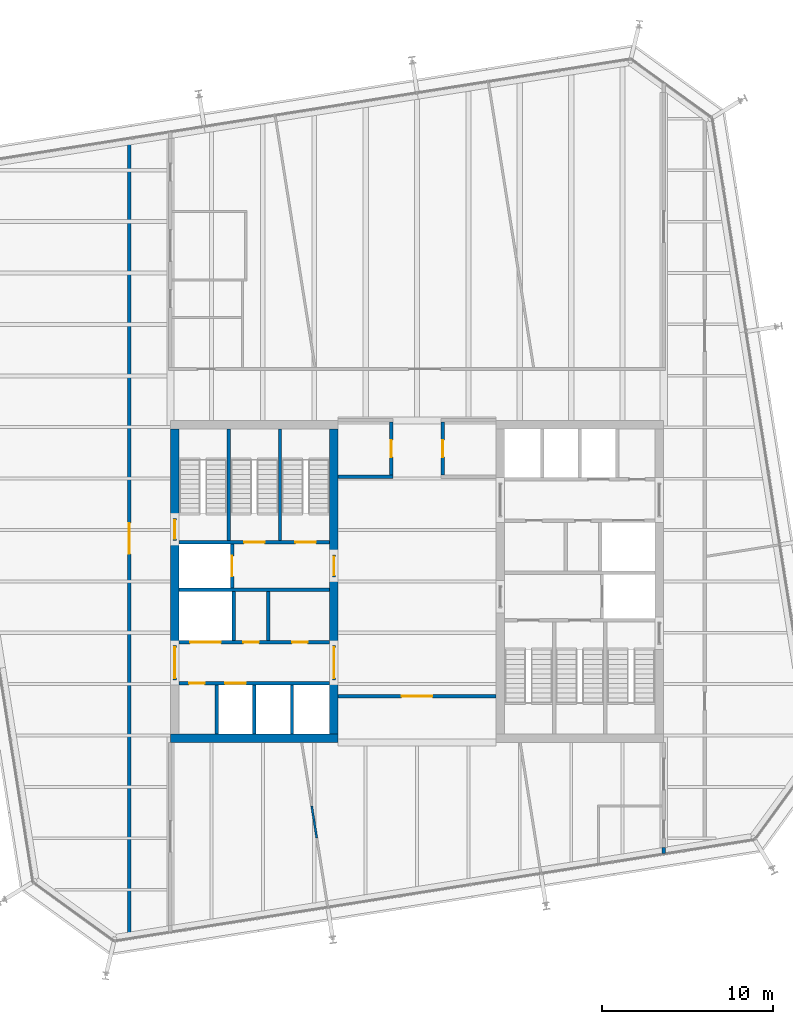
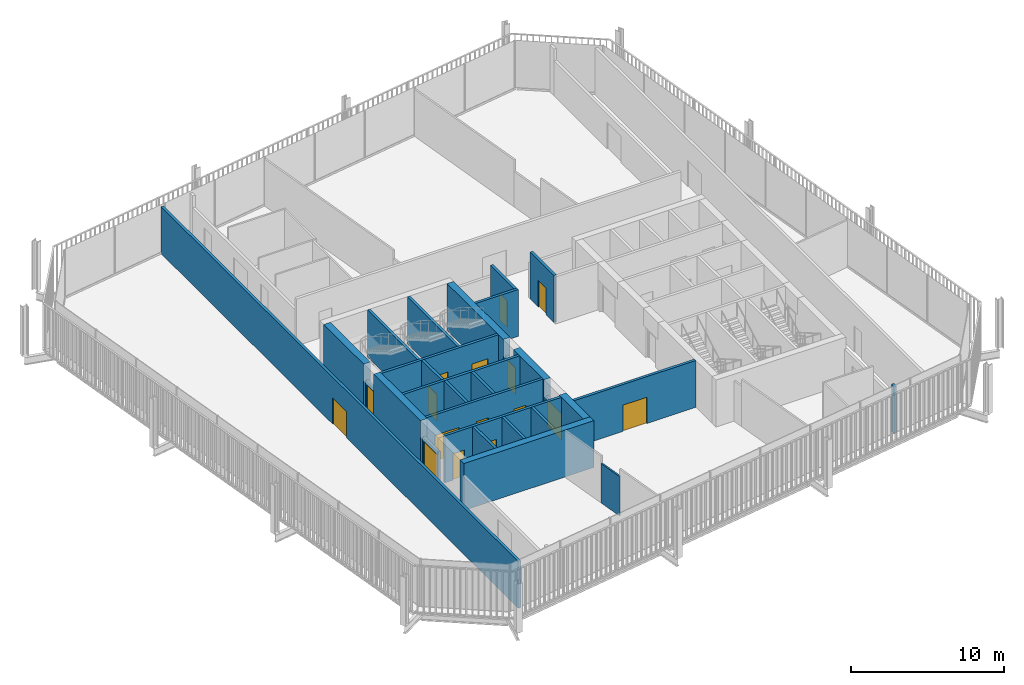
# One storey, part 16 of 20: 29 walls, 16 doors, 16 openings.
"""IFC4 building model written with IfcOpenShell, lengths in metres."""

from ifc_helpers import new_model, si_unit, direction, frame, frame_2d, origin, place, context, subcontext, project, spatial, rectangle, extrude, material, layer, layer_set, type_object, element, fill, save


model = new_model("IFC4")

# Units and contexts
model_context = context("Model", 3, precision=1e-05, world=origin(), true_north=direction((0.0, 1.0)))
body_context = subcontext(model_context, "Body", "Model", "MODEL_VIEW")
ifc_project = project(units=[si_unit("LENGTHUNIT", "METRE"), si_unit("AREAUNIT", "SQUARE_METRE"), si_unit("VOLUMEUNIT", "CUBIC_METRE"), si_unit("PLANEANGLEUNIT", "RADIAN"), si_unit("MASSUNIT", "GRAM", prefix="KILO")], contexts=[model_context])

# Site, building, storey
site_placement = place(None, origin())
site = spatial("IfcSite", under=ifc_project, at=site_placement, CompositionType="ELEMENT")
building_placement = place(site_placement, origin())
building = spatial("IfcBuilding", under=site, at=building_placement, Name="Millrace Tower", CompositionType="ELEMENT")
storey_placement = place(building_placement, frame((0.0, 0.0, 232.0)))
storey = spatial("IfcBuildingStorey", under=building, at=storey_placement, Name="L53", CompositionType="ELEMENT", Elevation=232.0)

# Walls
ifc_material_1 = material(Name="Concrete C60", Category="concrete")
ifc_layer_1 = layer(ifc_material_1, 0.5)
ifc_layer_set_1 = layer_set([ifc_layer_1], Name="Concrete C60")
wall_type_1 = type_object("IfcWallType", Name="Core wall 500 Concrete C60", PredefinedType="SHEAR", material=ifc_layer_set_1)
wall_1_placement = place(storey_placement, frame((-14.39990234375, -9.14990234375, 0.0), z_axis=(0.0, 0.0, 1.0), x_axis=(1.0, 0.0, 0.0)))
element("IfcWall", 1, at=wall_1_placement, inside=storey, type_object=wall_type_1, Name="Core wall W L53", PredefinedType="SHEAR", context=body_context, shape_type="SweptSolid", body=[
    extrude(rectangle(XDim=9.7998046875, YDim=0.5, at=frame_2d((4.89990234375, 0.0))), origin(), (0.0, 0.0, 1.0), 3.739990234375),
])
wall_2_placement = place(storey_placement, frame((-14.14990234375, -3.75, 0.0), z_axis=(0.0, 0.0, 1.0), x_axis=(0.0, 1.0, 0.0)))
element("IfcWall", 2, at=wall_2_placement, inside=storey, type_object=wall_type_1, Name="Core wall W L53", PredefinedType="SHEAR", context=body_context, shape_type="SweptSolid", body=[
    extrude(rectangle(XDim=6.1298828125, YDim=0.5, at=frame_2d((3.06494140625, 0.0))), origin(), (0.0, 0.0, 1.0), 3.739990234375),
])
wall_3_placement = place(storey_placement, frame((-14.14990234375, 3.679931640625, 0.0), z_axis=(0.0, 0.0, 1.0), x_axis=(0.0, 1.0, 0.0)))
element("IfcWall", 3, at=wall_3_placement, inside=storey, type_object=wall_type_1, Name="Core wall W L53", PredefinedType="SHEAR", context=body_context, shape_type="SweptSolid", body=[
    extrude(rectangle(XDim=5.219970703125, YDim=0.5, at=frame_2d((2.60986328125, 0.0))), origin(), (0.0, 0.0, 1.0), 3.739990234375),
])
wall_4_placement = place(storey_placement, frame((-4.85009765625, -8.89990234375, 0.0), z_axis=(0.0, 0.0, 1.0), x_axis=(0.0, 1.0, 0.0)))
element("IfcWall", 4, at=wall_4_placement, inside=storey, type_object=wall_type_1, Name="Core wall W L53", PredefinedType="SHEAR", context=body_context, shape_type="SweptSolid", body=[
    extrude(rectangle(XDim=3.14990234375, YDim=0.5, at=frame_2d((1.574951171875, 0.0))), origin(), (0.0, 0.0, 1.0), 3.739990234375),
])
wall_5_placement = place(storey_placement, frame((-4.85009765625, -3.75, 0.0), z_axis=(0.0, 0.0, 1.0), x_axis=(0.0, 1.0, 0.0)))
element("IfcWall", 5, at=wall_5_placement, inside=storey, type_object=wall_type_1, Name="Core wall W L53", PredefinedType="SHEAR", context=body_context, shape_type="SweptSolid", body=[
    extrude(rectangle(XDim=4.0, YDim=0.5, at=frame_2d((2.0, 0.0))), origin(), (0.0, 0.0, 1.0), 3.739990234375),
])
wall_6_placement = place(storey_placement, frame((-4.85009765625, 1.550048828125, 0.0), z_axis=(0.0, 0.0, 1.0), x_axis=(0.0, 1.0, 0.0)))
element("IfcWall", 6, at=wall_6_placement, inside=storey, type_object=wall_type_1, Name="Core wall W L53", PredefinedType="SHEAR", context=body_context, shape_type="SweptSolid", body=[
    extrude(rectangle(XDim=7.349853515625, YDim=0.5, at=frame_2d((3.6748046875, 0.0))), origin(), (0.0, 0.0, 1.0), 3.739990234375),
])

# Wall, opening, door
ifc_material_2 = material(Name="Masonry partition, fire-rated", Category="masonry")
ifc_layer_2 = layer(ifc_material_2, 0.199951171875)
ifc_layer_set_2 = layer_set([ifc_layer_2], Name="Masonry partition, fire-rated")
wall_type_2 = type_object("IfcWallType", Name="Corridor wall 200", PredefinedType="PARTITIONING", material=ifc_layer_set_2)
wall_7_placement = place(storey_placement, frame((-4.60009765625, -6.699951171875, 0.0), z_axis=(0.0, 0.0, 1.0), x_axis=(1.0, 0.0, 0.0)))
wall_7 = element("IfcWall", 7, at=wall_7_placement, inside=storey, type_object=wall_type_2, Name="Corridor wall L53", PredefinedType="PARTITIONING", context=body_context, shape_type="SweptSolid", body=[
    extrude(rectangle(XDim=9.2001953125, YDim=0.199951171875, at=frame_2d((4.60009765625, 0.0))), origin(), (0.0, 0.0, 1.0), 3.739990234375),
])
opening_1_placement = place(wall_7_placement, frame((3.699951171875, 0.0, 0.0)))
opening_1 = element("IfcOpeningElement", 8, at=opening_1_placement, cuts=wall_7, Name="Opening 53-P013", PredefinedType="OPENING", context=body_context, shape_type="SweptSolid", body=[
    extrude(rectangle(XDim=1.800048828125, YDim=2.10009765625, at=frame_2d((0.89990234375, 1.050048828125))), frame((0.0, 0.10986328125, 0.0), z_axis=(0.0, -1.0, 0.0), x_axis=(1.0, 0.0, 0.0)), (0.0, 0.0, 1.0), 0.219970703125),
])
ifc_material_3 = material(Name="Steel door set, fire-rated", Category="steel")
door_type_1 = type_object("IfcDoorType", Name="Corridor door 1800 x 2100", OperationType="DOUBLE_DOOR_SINGLE_SWING", PredefinedType="DOOR", material=ifc_material_3)
door_1_placement = place(opening_1_placement, frame((1.800048828125, 0.0, 0.0), z_axis=(0.0, 0.0, 1.0), x_axis=(-1.0, 0.0, 0.0)))
door_1 = element("IfcDoor", 9, at=door_1_placement, inside=storey, type_object=door_type_1, Name="Door 53-P013", OperationType="DOUBLE_DOOR_SINGLE_SWING", OverallHeight=2.10009765625, OverallWidth=1.800048828125, PredefinedType="DOOR", context=body_context, shape_type="SweptSolid", body=[
    extrude(rectangle(XDim=1.800048828125, YDim=2.10009765625, at=frame_2d((0.89990234375, 1.050048828125))), frame((0.0, 0.02490234375, 0.0), z_axis=(0.0, -1.0, 0.0), x_axis=(1.0, 0.0, 0.0)), (0.0, 0.0, 1.0), 0.050048828125),
])
fill(opening_1, door_1)

# Walls
wall_8_placement = place(storey_placement, frame((-4.60009765625, 6.10009765625, 0.0), z_axis=(0.0, 0.0, 1.0), x_axis=(1.0, 0.0, 0.0)))
element("IfcWall", 10, at=wall_8_placement, inside=storey, type_object=wall_type_2, Name="Corridor wall L53", PredefinedType="PARTITIONING", context=body_context, shape_type="SweptSolid", body=[
    extrude(rectangle(XDim=3.2001953125, YDim=0.199951171875, at=frame_2d((1.60009765625, 0.0))), origin(), (0.0, 0.0, 1.0), 3.739990234375),
])
wall_9_placement = place(storey_placement, frame((14.39990234375, -15.87451171875, 0.0), z_axis=(0.0, 0.0, 1.0), x_axis=(0.0, 1.0, 0.0)))
element("IfcWall", 11, at=wall_9_placement, inside=storey, type_object=wall_type_2, Name="Corridor wall L53", PredefinedType="PARTITIONING", context=body_context, shape_type="SweptSolid", body=[
    extrude(rectangle(XDim=0.349609375, YDim=0.199951171875, at=frame_2d((0.1748046875, 0.0))), origin(), (0.0, 0.0, 1.0), 3.739990234375),
])

# Wall, opening, door
wall_10_placement = place(storey_placement, frame((1.5, 6.199951171875, 0.0), z_axis=(0.0, 0.0, 1.0), x_axis=(0.0, 1.0, 0.0)))
wall_10 = element("IfcWall", 12, at=wall_10_placement, inside=storey, type_object=wall_type_2, Name="Corridor wall L53", PredefinedType="PARTITIONING", context=body_context, shape_type="SweptSolid", body=[
    extrude(rectangle(XDim=3.10009765625, YDim=0.199951171875, at=frame_2d((1.550048828125, 0.0))), origin(), (0.0, 0.0, 1.0), 3.739990234375),
])
opening_2_placement = place(wall_10_placement, frame((1.050048828125, 0.0, 0.0)))
opening_2 = element("IfcOpeningElement", 13, at=opening_2_placement, cuts=wall_10, Name="Opening 53-P002", PredefinedType="OPENING", context=body_context, shape_type="SweptSolid", body=[
    extrude(rectangle(XDim=1.0, YDim=2.10009765625, at=frame_2d((0.5, 1.050048828125))), frame((0.0, 0.10986328125, 0.0), z_axis=(0.0, -1.0, 0.0), x_axis=(1.0, 0.0, 0.0)), (0.0, 0.0, 1.0), 0.219970703125),
])
ifc_material_4 = material(Name="Steel door set, fire-rated", Category="steel")
door_type_2 = type_object("IfcDoorType", Name="Corridor door 1000 x 2100", OperationType="SINGLE_SWING_LEFT", PredefinedType="DOOR", material=ifc_material_4)
door_2_placement = place(opening_2_placement, frame((1.0, 0.0, 0.0), z_axis=(0.0, 0.0, 1.0), x_axis=(-1.0, 0.0, 0.0)))
door_2 = element("IfcDoor", 14, at=door_2_placement, inside=storey, type_object=door_type_2, Name="Door 53-P002", OperationType="SINGLE_SWING_LEFT", OverallHeight=2.10009765625, OverallWidth=1.0, PredefinedType="DOOR", context=body_context, shape_type="SweptSolid", body=[
    extrude(rectangle(XDim=1.0, YDim=2.10009765625, at=frame_2d((0.5, 1.050048828125))), frame((0.0, 0.02490234375, 0.0), z_axis=(0.0, -1.0, 0.0), x_axis=(1.0, 0.0, 0.0)), (0.0, 0.0, 1.0), 0.050048828125),
])
fill(opening_2, door_2)

wall_11_placement = place(storey_placement, frame((-1.5, 6.199951171875, 0.0), z_axis=(0.0, 0.0, 1.0), x_axis=(0.0, 1.0, 0.0)))
wall_11 = element("IfcWall", 15, at=wall_11_placement, inside=storey, type_object=wall_type_2, Name="Corridor wall L53", PredefinedType="PARTITIONING", context=body_context, shape_type="SweptSolid", body=[
    extrude(rectangle(XDim=3.10009765625, YDim=0.199951171875, at=frame_2d((1.550048828125, 0.0))), origin(), (0.0, 0.0, 1.0), 3.739990234375),
])
opening_3_placement = place(wall_11_placement, frame((1.050048828125, 0.0, 0.0)))
opening_3 = element("IfcOpeningElement", 16, at=opening_3_placement, cuts=wall_11, Name="Opening 53-P001", PredefinedType="OPENING", context=body_context, shape_type="SweptSolid", body=[
    extrude(rectangle(XDim=1.0, YDim=2.10009765625, at=frame_2d((0.5, 1.050048828125))), frame((0.0, 0.10986328125, 0.0), z_axis=(0.0, -1.0, 0.0), x_axis=(1.0, 0.0, 0.0)), (0.0, 0.0, 1.0), 0.219970703125),
])
door_3_placement = place(opening_3_placement, origin())
door_3 = element("IfcDoor", 17, at=door_3_placement, inside=storey, type_object=door_type_2, Name="Door 53-P001", OperationType="SINGLE_SWING_RIGHT", OverallHeight=2.10009765625, OverallWidth=1.0, PredefinedType="DOOR", context=body_context, shape_type="SweptSolid", body=[
    extrude(rectangle(XDim=1.0, YDim=2.10009765625, at=frame_2d((0.5, 1.050048828125))), frame((0.0, 0.02490234375, 0.0), z_axis=(0.0, -1.0, 0.0), x_axis=(1.0, 0.0, 0.0)), (0.0, 0.0, 1.0), 0.050048828125),
])
fill(opening_3, door_3)

wall_12_placement = place(storey_placement, frame((-16.800048828125, -20.816162109375, 0.0), z_axis=(0.0, 0.0, 1.0), x_axis=(0.0, 1.0, 0.0)))
wall_12 = element("IfcWall", 18, at=wall_12_placement, inside=storey, type_object=wall_type_2, Name="Corridor wall L53", PredefinedType="PARTITIONING", context=body_context, shape_type="SweptSolid", body=[
    extrude(rectangle(XDim=46.63427734375, YDim=0.199951171875, at=frame_2d((23.317138671875, 0.0))), origin(), (0.0, 0.0, 1.0), 3.739990234375),
])
opening_4_placement = place(wall_12_placement, frame((22.416748046875, 0.0, 0.0)))
opening_4 = element("IfcOpeningElement", 19, at=opening_4_placement, cuts=wall_12, Name="Opening 53-P003", PredefinedType="OPENING", context=body_context, shape_type="SweptSolid", body=[
    extrude(rectangle(XDim=1.800048828125, YDim=2.10009765625, at=frame_2d((0.89990234375, 1.050048828125))), frame((0.0, 0.10986328125, 0.0), z_axis=(0.0, -1.0, 0.0), x_axis=(1.0, 0.0, 0.0)), (0.0, 0.0, 1.0), 0.219970703125),
])
door_4_placement = place(opening_4_placement, frame((1.800048828125, 0.0, 0.0), z_axis=(0.0, 0.0, 1.0), x_axis=(-1.0, 0.0, 0.0)))
door_4 = element("IfcDoor", 20, at=door_4_placement, inside=storey, type_object=door_type_1, Name="Door 53-P003", OperationType="DOUBLE_DOOR_SINGLE_SWING", OverallHeight=2.10009765625, OverallWidth=1.800048828125, PredefinedType="DOOR", context=body_context, shape_type="SweptSolid", body=[
    extrude(rectangle(XDim=1.800048828125, YDim=2.10009765625, at=frame_2d((0.89990234375, 1.050048828125))), frame((0.0, 0.02490234375, 0.0), z_axis=(0.0, -1.0, 0.0), x_axis=(1.0, 0.0, 0.0)), (0.0, 0.0, 1.0), 0.050048828125),
])
fill(opening_4, door_4)

# Wall, openings, doors
ifc_material_5 = material(Name="Masonry partition, fire-rated", Category="masonry")
ifc_layer_3 = layer(ifc_material_5, 0.199951171875)
ifc_layer_set_3 = layer_set([ifc_layer_3], Name="Masonry partition, fire-rated")
wall_type_3 = type_object("IfcWallType", Name="Lift shaft wall 200", PredefinedType="PARTITIONING", material=ifc_layer_set_3)
wall_13_placement = place(storey_placement, frame((-13.89990234375, -5.949951171875, 0.0), z_axis=(0.0, 0.0, 1.0), x_axis=(1.0, 0.0, 0.0)))
wall_13 = element("IfcWall", 21, at=wall_13_placement, inside=storey, type_object=wall_type_3, Name="Lift shaft wall W L53", PredefinedType="PARTITIONING", context=body_context, shape_type="SweptSolid", body=[
    extrude(rectangle(XDim=8.7998046875, YDim=0.199951171875, at=frame_2d((4.39990234375, 0.0))), origin(), (0.0, 0.0, 1.0), 3.739990234375),
])
opening_5_placement = place(wall_13_placement, frame((2.699951171875, 0.0, 0.0)))
opening_5 = element("IfcOpeningElement", 22, at=opening_5_placement, cuts=wall_13, Name="Opening 53-LD02", PredefinedType="OPENING", context=body_context, shape_type="SweptSolid", body=[
    extrude(rectangle(XDim=1.199951171875, YDim=2.10009765625, at=frame_2d((0.60009765625, 1.050048828125))), frame((0.0, 0.10986328125, 0.0), z_axis=(0.0, -1.0, 0.0), x_axis=(1.0, 0.0, 0.0)), (0.0, 0.0, 1.0), 0.219970703125),
])
opening_6_placement = place(wall_13_placement, frame((0.60009765625, 0.0, 0.0)))
opening_6 = element("IfcOpeningElement", 23, at=opening_6_placement, cuts=wall_13, Name="Opening 53-C005", PredefinedType="OPENING", context=body_context, shape_type="SweptSolid", body=[
    extrude(rectangle(XDim=0.89990234375, YDim=2.10009765625, at=frame_2d((0.449951171875, 1.050048828125))), frame((0.0, 0.10986328125, 0.0), z_axis=(0.0, -1.0, 0.0), x_axis=(1.0, 0.0, 0.0)), (0.0, 0.0, 1.0), 0.219970703125),
])
ifc_material_6 = material(Name="Stainless steel, fire-rated", Category="steel")
door_type_3 = type_object("IfcDoorType", Name="Lift landing door 1200 x 2100", OperationType="DOUBLE_DOOR_SLIDING", PredefinedType="DOOR", material=ifc_material_6)
door_5_placement = place(opening_5_placement, origin())
door_5 = element("IfcDoor", 24, at=door_5_placement, inside=storey, type_object=door_type_3, Name="Lift landing door LF2 L53", OperationType="DOUBLE_DOOR_SLIDING", OverallHeight=2.10009765625, OverallWidth=1.199951171875, PredefinedType="DOOR", context=body_context, shape_type="SweptSolid", body=[
    extrude(rectangle(XDim=1.199951171875, YDim=2.10009765625, at=frame_2d((0.60009765625, 1.050048828125))), frame((0.0, 0.02490234375, 0.0), z_axis=(0.0, -1.0, 0.0), x_axis=(1.0, 0.0, 0.0)), (0.0, 0.0, 1.0), 0.050048828125),
])
fill(opening_5, door_5)
ifc_material_7 = material(Name="Steel door, fire-rated", Category="steel")
door_type_4 = type_object("IfcDoorType", Name="Service room door 900 x 2100", OperationType="SINGLE_SWING_LEFT", PredefinedType="DOOR", material=ifc_material_7)
door_6_placement = place(opening_6_placement, frame((0.89990234375, 0.0, 0.0), z_axis=(0.0, 0.0, 1.0), x_axis=(-1.0, 0.0, 0.0)))
door_6 = element("IfcDoor", 25, at=door_6_placement, inside=storey, type_object=door_type_4, Name="Service room door 53-C005", OperationType="SINGLE_SWING_RIGHT", OverallHeight=2.10009765625, OverallWidth=0.89990234375, PredefinedType="DOOR", context=body_context, shape_type="SweptSolid", body=[
    extrude(rectangle(XDim=0.89990234375, YDim=2.10009765625, at=frame_2d((0.449951171875, 1.050048828125))), frame((0.0, 0.02490234375, 0.0), z_axis=(0.0, -1.0, 0.0), x_axis=(1.0, 0.0, 0.0)), (0.0, 0.0, 1.0), 0.050048828125),
])
fill(opening_6, door_6)

wall_14_placement = place(storey_placement, frame((-13.89990234375, -3.550048828125, 0.0), z_axis=(0.0, 0.0, 1.0), x_axis=(1.0, 0.0, 0.0)))
wall_14 = element("IfcWall", 26, at=wall_14_placement, inside=storey, type_object=wall_type_3, Name="Lift shaft wall W L53", PredefinedType="PARTITIONING", context=body_context, shape_type="SweptSolid", body=[
    extrude(rectangle(XDim=8.7998046875, YDim=0.199951171875, at=frame_2d((4.39990234375, 0.0))), origin(), (0.0, 0.0, 1.0), 3.739990234375),
])
opening_7_placement = place(wall_14_placement, frame((0.64990234375, 0.0, 0.0)))
opening_7 = element("IfcOpeningElement", 27, at=opening_7_placement, cuts=wall_14, Name="Opening 53-LD05", PredefinedType="OPENING", context=body_context, shape_type="SweptSolid", body=[
    extrude(rectangle(XDim=1.800048828125, YDim=2.10009765625, at=frame_2d((0.89990234375, 1.050048828125))), frame((0.0, 0.10986328125, 0.0), z_axis=(0.0, -1.0, 0.0), x_axis=(1.0, 0.0, 0.0)), (0.0, 0.0, 1.0), 0.219970703125),
])
opening_8_placement = place(wall_14_placement, frame((3.762451171875, 0.0, 0.0)))
opening_8 = element("IfcOpeningElement", 28, at=opening_8_placement, cuts=wall_14, Name="Opening 53-C006", PredefinedType="OPENING", context=body_context, shape_type="SweptSolid", body=[
    extrude(rectangle(XDim=0.89990234375, YDim=2.10009765625, at=frame_2d((0.449951171875, 1.050048828125))), frame((0.0, 0.10986328125, 0.0), z_axis=(0.0, -1.0, 0.0), x_axis=(1.0, 0.0, 0.0)), (0.0, 0.0, 1.0), 0.219970703125),
])
opening_9_placement = place(wall_14_placement, frame((6.612548828125, 0.0, 0.0)))
opening_9 = element("IfcOpeningElement", 29, at=opening_9_placement, cuts=wall_14, Name="Opening 53-C007", PredefinedType="OPENING", context=body_context, shape_type="SweptSolid", body=[
    extrude(rectangle(XDim=0.89990234375, YDim=2.10009765625, at=frame_2d((0.449951171875, 1.050048828125))), frame((0.0, 0.10986328125, 0.0), z_axis=(0.0, -1.0, 0.0), x_axis=(1.0, 0.0, 0.0)), (0.0, 0.0, 1.0), 0.219970703125),
])
ifc_material_8 = material(Name="Stainless steel, fire-rated", Category="steel")
door_type_5 = type_object("IfcDoorType", Name="Lift landing door 1800 x 2100", OperationType="DOUBLE_DOOR_SLIDING", PredefinedType="DOOR", material=ifc_material_8)
door_7_placement = place(opening_7_placement, origin())
door_7 = element("IfcDoor", 30, at=door_7_placement, inside=storey, type_object=door_type_5, Name="Lift landing door LF5 L53", OperationType="DOUBLE_DOOR_SLIDING", OverallHeight=2.10009765625, OverallWidth=1.800048828125, PredefinedType="DOOR", context=body_context, shape_type="SweptSolid", body=[
    extrude(rectangle(XDim=1.800048828125, YDim=2.10009765625, at=frame_2d((0.89990234375, 1.050048828125))), frame((0.0, 0.02490234375, 0.0), z_axis=(0.0, -1.0, 0.0), x_axis=(1.0, 0.0, 0.0)), (0.0, 0.0, 1.0), 0.050048828125),
])
fill(opening_7, door_7)
door_8_placement = place(opening_8_placement, origin())
door_8 = element("IfcDoor", 31, at=door_8_placement, inside=storey, type_object=door_type_4, Name="Service room door 53-C006", OperationType="SINGLE_SWING_LEFT", OverallHeight=2.10009765625, OverallWidth=0.89990234375, PredefinedType="DOOR", context=body_context, shape_type="SweptSolid", body=[
    extrude(rectangle(XDim=0.89990234375, YDim=2.10009765625, at=frame_2d((0.449951171875, 1.050048828125))), frame((0.0, 0.02490234375, 0.0), z_axis=(0.0, -1.0, 0.0), x_axis=(1.0, 0.0, 0.0)), (0.0, 0.0, 1.0), 0.050048828125),
])
fill(opening_8, door_8)
door_9_placement = place(opening_9_placement, origin())
door_9 = element("IfcDoor", 32, at=door_9_placement, inside=storey, type_object=door_type_4, Name="Service room door 53-C007", OperationType="SINGLE_SWING_RIGHT", OverallHeight=2.10009765625, OverallWidth=0.89990234375, PredefinedType="DOOR", context=body_context, shape_type="SweptSolid", body=[
    extrude(rectangle(XDim=0.89990234375, YDim=2.10009765625, at=frame_2d((0.449951171875, 1.050048828125))), frame((0.0, 0.02490234375, 0.0), z_axis=(0.0, -1.0, 0.0), x_axis=(1.0, 0.0, 0.0)), (0.0, 0.0, 1.0), 0.050048828125),
])
fill(opening_9, door_9)

# Wall
wall_15_placement = place(storey_placement, frame((-13.89990234375, -0.5, 0.0), z_axis=(0.0, 0.0, 1.0), x_axis=(1.0, 0.0, 0.0)))
element("IfcWall", 33, at=wall_15_placement, inside=storey, type_object=wall_type_3, Name="Lift shaft wall W L53", PredefinedType="PARTITIONING", context=body_context, shape_type="SweptSolid", body=[
    extrude(rectangle(XDim=8.7998046875, YDim=0.199951171875, at=frame_2d((4.39990234375, 0.0))), origin(), (0.0, 0.0, 1.0), 3.739990234375),
])

# Wall, opening, door
wall_16_placement = place(storey_placement, frame((-10.800048828125, -0.39990234375, 0.0), z_axis=(0.0, 0.0, 1.0), x_axis=(0.0, 1.0, 0.0)))
wall_16 = element("IfcWall", 34, at=wall_16_placement, inside=storey, type_object=wall_type_3, Name="Lift shaft wall W L53", PredefinedType="PARTITIONING", context=body_context, shape_type="SweptSolid", body=[
    extrude(rectangle(XDim=2.579833984375, YDim=0.199951171875, at=frame_2d((1.2900390625, 0.0))), origin(), (0.0, 0.0, 1.0), 3.739990234375),
])
opening_10_placement = place(wall_16_placement, frame((0.68994140625, 0.0, 0.0)))
opening_10 = element("IfcOpeningElement", 35, at=opening_10_placement, cuts=wall_16, Name="Opening 53-LD08", PredefinedType="OPENING", context=body_context, shape_type="SweptSolid", body=[
    extrude(rectangle(XDim=1.199951171875, YDim=2.10009765625, at=frame_2d((0.60009765625, 1.050048828125))), frame((0.0, 0.10986328125, 0.0), z_axis=(0.0, -1.0, 0.0), x_axis=(1.0, 0.0, 0.0)), (0.0, 0.0, 1.0), 0.219970703125),
])
door_10_placement = place(opening_10_placement, origin())
door_10 = element("IfcDoor", 36, at=door_10_placement, inside=storey, type_object=door_type_3, Name="Lift landing door LF8 L53", OperationType="DOUBLE_DOOR_SLIDING", OverallHeight=2.10009765625, OverallWidth=1.199951171875, PredefinedType="DOOR", context=body_context, shape_type="SweptSolid", body=[
    extrude(rectangle(XDim=1.199951171875, YDim=2.10009765625, at=frame_2d((0.60009765625, 1.050048828125))), frame((0.0, 0.02490234375, 0.0), z_axis=(0.0, -1.0, 0.0), x_axis=(1.0, 0.0, 0.0)), (0.0, 0.0, 1.0), 0.050048828125),
])
fill(opening_10, door_10)

# Walls
for number, where, z_axis, x_axis, name in (
    (37, (-11.699951171875, -8.89990234375, 0.0), (0.0, 0.0, 1.0), (0.0, 1.0, 0.0), "Lift shaft wall W L53"),
    (38, (-9.5, -8.89990234375, 0.0), (0.0, 0.0, 1.0), (0.0, 1.0, 0.0), "Lift shaft wall W L53"),
    (39, (-7.300048828125, -8.89990234375, 0.0), (0.0, 0.0, 1.0), (0.0, 1.0, 0.0), "Lift shaft wall W L53"),
    (40, (-10.699951171875, -3.449951171875, 0.0), (0.0, 0.0, 1.0), (0.0, 1.0, 0.0), "Lift shaft wall W L53"),
):
    element("IfcWall", number, at=place(storey_placement, frame(where, z_axis=z_axis, x_axis=x_axis)), inside=storey, type_object=wall_type_3, Name=name, PredefinedType="PARTITIONING", context=body_context, shape_type="SweptSolid", body=[
        extrude(rectangle(XDim=2.849853515625, YDim=0.199951171875, at=frame_2d((1.4248046875, 0.0))), origin(), (0.0, 0.0, 1.0), 3.739990234375),
    ])

# Wall, opening, door
ifc_material_9 = material(Name="Masonry partition, fire-rated", Category="masonry")
ifc_layer_4 = layer(ifc_material_9, 0.199951171875)
ifc_layer_set_4 = layer_set([ifc_layer_4], Name="Masonry partition, fire-rated")
wall_type_4 = type_object("IfcWallType", Name="Lobby wall 200", PredefinedType="PARTITIONING", material=ifc_layer_set_4)
wall_17_placement = place(storey_placement, frame((-14.14990234375, -5.75, 0.0), z_axis=(0.0, 0.0, 1.0), x_axis=(0.0, 1.0, 0.0)))
wall_17 = element("IfcWall", 41, at=wall_17_placement, inside=storey, type_object=wall_type_4, Name="Lobby wall W L53", PredefinedType="PARTITIONING", context=body_context, shape_type="SweptSolid", body=[
    extrude(rectangle(XDim=2.0, YDim=0.199951171875, at=frame_2d((1.0, 0.0))), origin(), (0.0, 0.0, 1.0), 2.39990234375),
])
opening_11_placement = place(wall_17_placement, frame((0.10009765625, 0.0, 0.0)))
opening_11 = element("IfcOpeningElement", 42, at=opening_11_placement, cuts=wall_17, Name="Opening 53-C001", PredefinedType="OPENING", context=body_context, shape_type="SweptSolid", body=[
    extrude(rectangle(XDim=1.800048828125, YDim=2.10009765625, at=frame_2d((0.89990234375, 1.050048828125))), frame((0.0, 0.10986328125, 0.0), z_axis=(0.0, -1.0, 0.0), x_axis=(1.0, 0.0, 0.0)), (0.0, 0.0, 1.0), 0.219970703125),
])
ifc_material_10 = material(Name="Steel door, fire-rated", Category="steel")
door_type_6 = type_object("IfcDoorType", Name="Lobby door 1800 x 2100", OperationType="DOUBLE_DOOR_SINGLE_SWING", PredefinedType="DOOR", material=ifc_material_10)
door_11_placement = place(opening_11_placement, origin())
door_11 = element("IfcDoor", 43, at=door_11_placement, inside=storey, type_object=door_type_6, Name="Lobby door 53-C001", OperationType="DOUBLE_DOOR_SINGLE_SWING", OverallHeight=2.10009765625, OverallWidth=1.800048828125, PredefinedType="DOOR", context=body_context, shape_type="SweptSolid", body=[
    extrude(rectangle(XDim=1.800048828125, YDim=2.10009765625, at=frame_2d((0.89990234375, 1.050048828125))), frame((0.0, 0.02490234375, 0.0), z_axis=(0.0, -1.0, 0.0), x_axis=(1.0, 0.0, 0.0)), (0.0, 0.0, 1.0), 0.050048828125),
])
fill(opening_11, door_11)

wall_18_placement = place(storey_placement, frame((-4.85009765625, -5.75, 0.0), z_axis=(0.0, 0.0, 1.0), x_axis=(0.0, 1.0, 0.0)))
wall_18 = element("IfcWall", 44, at=wall_18_placement, inside=storey, type_object=wall_type_4, Name="Lobby wall W L53", PredefinedType="PARTITIONING", context=body_context, shape_type="SweptSolid", body=[
    extrude(rectangle(XDim=2.0, YDim=0.199951171875, at=frame_2d((1.0, 0.0))), origin(), (0.0, 0.0, 1.0), 2.39990234375),
])
opening_12_placement = place(wall_18_placement, frame((0.10009765625, 0.0, 0.0)))
opening_12 = element("IfcOpeningElement", 45, at=opening_12_placement, cuts=wall_18, Name="Opening 53-C003", PredefinedType="OPENING", context=body_context, shape_type="SweptSolid", body=[
    extrude(rectangle(XDim=1.800048828125, YDim=2.10009765625, at=frame_2d((0.89990234375, 1.050048828125))), frame((0.0, 0.10986328125, 0.0), z_axis=(0.0, -1.0, 0.0), x_axis=(1.0, 0.0, 0.0)), (0.0, 0.0, 1.0), 0.219970703125),
])
door_12_placement = place(opening_12_placement, frame((1.800048828125, 0.0, 0.0), z_axis=(0.0, 0.0, 1.0), x_axis=(-1.0, 0.0, 0.0)))
door_12 = element("IfcDoor", 46, at=door_12_placement, inside=storey, type_object=door_type_6, Name="Lobby door 53-C003", OperationType="DOUBLE_DOOR_SINGLE_SWING", OverallHeight=2.10009765625, OverallWidth=1.800048828125, PredefinedType="DOOR", context=body_context, shape_type="SweptSolid", body=[
    extrude(rectangle(XDim=1.800048828125, YDim=2.10009765625, at=frame_2d((0.89990234375, 1.050048828125))), frame((0.0, 0.02490234375, 0.0), z_axis=(0.0, -1.0, 0.0), x_axis=(1.0, 0.0, 0.0)), (0.0, 0.0, 1.0), 0.050048828125),
])
fill(opening_12, door_12)

wall_19_placement = place(storey_placement, frame((-4.85009765625, 0.25, 0.0), z_axis=(0.0, 0.0, 1.0), x_axis=(0.0, 1.0, 0.0)))
wall_19 = element("IfcWall", 47, at=wall_19_placement, inside=storey, type_object=wall_type_4, Name="Lobby wall W L53", PredefinedType="PARTITIONING", context=body_context, shape_type="SweptSolid", body=[
    extrude(rectangle(XDim=1.300048828125, YDim=0.199951171875, at=frame_2d((0.64990234375, 0.0))), origin(), (0.0, 0.0, 1.0), 2.39990234375),
])
opening_13_placement = place(wall_19_placement, frame((0.10009765625, 0.0, 0.0)))
opening_13 = element("IfcOpeningElement", 48, at=opening_13_placement, cuts=wall_19, Name="Opening 53-C004", PredefinedType="OPENING", context=body_context, shape_type="SweptSolid", body=[
    extrude(rectangle(XDim=1.10009765625, YDim=2.10009765625, at=frame_2d((0.550048828125, 1.050048828125))), frame((0.0, 0.10986328125, 0.0), z_axis=(0.0, -1.0, 0.0), x_axis=(1.0, 0.0, 0.0)), (0.0, 0.0, 1.0), 0.219970703125),
])
ifc_material_11 = material(Name="Steel door, fire-rated", Category="steel")
door_type_7 = type_object("IfcDoorType", Name="Lobby door 1100 x 2100", OperationType="SINGLE_SWING_LEFT", PredefinedType="DOOR", material=ifc_material_11)
door_13_placement = place(opening_13_placement, frame((1.10009765625, 0.0, 0.0), z_axis=(0.0, 0.0, 1.0), x_axis=(-1.0, 0.0, 0.0)))
door_13 = element("IfcDoor", 49, at=door_13_placement, inside=storey, type_object=door_type_7, Name="Lobby door 53-C004", OperationType="SINGLE_SWING_RIGHT", OverallHeight=2.10009765625, OverallWidth=1.10009765625, PredefinedType="DOOR", context=body_context, shape_type="SweptSolid", body=[
    extrude(rectangle(XDim=1.10009765625, YDim=2.10009765625, at=frame_2d((0.550048828125, 1.050048828125))), frame((0.0, 0.02490234375, 0.0), z_axis=(0.0, -1.0, 0.0), x_axis=(1.0, 0.0, 0.0)), (0.0, 0.0, 1.0), 0.050048828125),
])
fill(opening_13, door_13)

# Walls
ifc_material_12 = material(Name="Gypsum board partition")
ifc_layer_5 = layer(ifc_material_12, 0.1201171875)
ifc_layer_set_5 = layer_set([ifc_layer_5], Name="Gypsum board partition")
wall_type_5 = type_object("IfcWallType", Name="Partition wall 120", PredefinedType="PARTITIONING", material=ifc_layer_set_5)
wall_20_placement = place(storey_placement, frame((-6.148193359375, -13.119140625, 0.0), z_axis=(0.0, 0.0, 1.0), x_axis=(0.1562533807, -0.987717004521, 0.0)))
element("IfcWall", 50, at=wall_20_placement, inside=storey, type_object=wall_type_5, Name="Partition wall L53", PredefinedType="PARTITIONING", context=body_context, shape_type="SweptSolid", body=[
    extrude(rectangle(XDim=1.896728515625, YDim=0.1201171875, at=frame_2d((0.9482421875, 0.0))), origin(), (0.0, 0.0, 1.0), 3.140625),
])
ifc_material_13 = material(Name="Masonry partition, fire-rated", Category="masonry")
ifc_layer_6 = layer(ifc_material_13, 0.199951171875)
ifc_layer_set_6 = layer_set([ifc_layer_6], Name="Masonry partition, fire-rated")
wall_type_6 = type_object("IfcWallType", Name="Room partition 200", PredefinedType="PARTITIONING", material=ifc_layer_set_6)
wall_21_placement = place(storey_placement, frame((-8.675048828125, -3.449951171875, 0.0), z_axis=(0.0, 0.0, 1.0), x_axis=(0.0, 1.0, 0.0)))
element("IfcWall", 51, at=wall_21_placement, inside=storey, type_object=wall_type_6, Name="Room partition W L53", PredefinedType="PARTITIONING", context=body_context, shape_type="SweptSolid", body=[
    extrude(rectangle(XDim=2.849853515625, YDim=0.199951171875, at=frame_2d((1.4248046875, 0.0))), origin(), (0.0, 0.0, 1.0), 3.739990234375),
])

# Wall, opening, door
ifc_material_14 = material(Name="Concrete C40", Category="concrete")
ifc_layer_7 = layer(ifc_material_14, 0.199951171875)
ifc_layer_set_7 = layer_set([ifc_layer_7], Name="Concrete C40")
wall_type_7 = type_object("IfcWallType", Name="Stair enclosure wall 200 Concrete C40", PredefinedType="SHEAR", material=ifc_layer_set_7)
wall_22_placement = place(storey_placement, frame((-14.14990234375, 2.3798828125, 0.0), z_axis=(0.0, 0.0, 1.0), x_axis=(0.0, 1.0, 0.0)))
wall_22 = element("IfcWall", 52, at=wall_22_placement, inside=storey, type_object=wall_type_7, Name="Stair enclosure wall W L53", PredefinedType="SHEAR", context=body_context, shape_type="SweptSolid", body=[
    extrude(rectangle(XDim=1.300048828125, YDim=0.199951171875, at=frame_2d((0.64990234375, 0.0))), origin(), (0.0, 0.0, 1.0), 2.39990234375),
])
opening_14_placement = place(wall_22_placement, frame((0.10009765625, 0.0, 0.0)))
opening_14 = element("IfcOpeningElement", 53, at=opening_14_placement, cuts=wall_22, Name="Opening 53-C002", PredefinedType="OPENING", context=body_context, shape_type="SweptSolid", body=[
    extrude(rectangle(XDim=1.10009765625, YDim=2.10009765625, at=frame_2d((0.550048828125, 1.050048828125))), frame((0.0, 0.10986328125, 0.0), z_axis=(0.0, -1.0, 0.0), x_axis=(1.0, 0.0, 0.0)), (0.0, 0.0, 1.0), 0.219970703125),
])
ifc_material_15 = material(Name="Steel door, fire-rated", Category="steel")
door_type_8 = type_object("IfcDoorType", Name="Stair door 1100 x 2100", OperationType="SINGLE_SWING_LEFT", PredefinedType="DOOR", material=ifc_material_15)
door_14_placement = place(opening_14_placement, origin())
door_14 = element("IfcDoor", 54, at=door_14_placement, inside=storey, type_object=door_type_8, Name="Stair door 53-C002", OperationType="SINGLE_SWING_RIGHT", OverallHeight=2.10009765625, OverallWidth=1.10009765625, PredefinedType="DOOR", context=body_context, shape_type="SweptSolid", body=[
    extrude(rectangle(XDim=1.10009765625, YDim=2.10009765625, at=frame_2d((0.550048828125, 1.050048828125))), frame((0.0, 0.02490234375, 0.0), z_axis=(0.0, -1.0, 0.0), x_axis=(1.0, 0.0, 0.0)), (0.0, 0.0, 1.0), 0.050048828125),
])
fill(opening_14, door_14)

# Wall, openings, doors
wall_23_placement = place(storey_placement, frame((-13.89990234375, 2.280029296875, 0.0), z_axis=(0.0, 0.0, 1.0), x_axis=(1.0, 0.0, 0.0)))
wall_23 = element("IfcWall", 55, at=wall_23_placement, inside=storey, type_object=wall_type_7, Name="Stair enclosure wall W L53", PredefinedType="SHEAR", context=body_context, shape_type="SweptSolid", body=[
    extrude(rectangle(XDim=8.7998046875, YDim=0.199951171875, at=frame_2d((4.39990234375, 0.0))), origin(), (0.0, 0.0, 1.0), 3.739990234375),
])
opening_15_placement = place(wall_23_placement, frame((3.800048828125, 0.0, 0.0)))
opening_15 = element("IfcOpeningElement", 56, at=opening_15_placement, cuts=wall_23, Name="Opening 53-C008", PredefinedType="OPENING", context=body_context, shape_type="SweptSolid", body=[
    extrude(rectangle(XDim=1.199951171875, YDim=2.10009765625, at=frame_2d((0.60009765625, 1.050048828125))), frame((0.0, 0.10986328125, 0.0), z_axis=(0.0, -1.0, 0.0), x_axis=(1.0, 0.0, 0.0)), (0.0, 0.0, 1.0), 0.219970703125),
])
opening_16_placement = place(wall_23_placement, frame((6.800048828125, 0.0, 0.0)))
opening_16 = element("IfcOpeningElement", 57, at=opening_16_placement, cuts=wall_23, Name="Opening 53-C009", PredefinedType="OPENING", context=body_context, shape_type="SweptSolid", body=[
    extrude(rectangle(XDim=1.199951171875, YDim=2.10009765625, at=frame_2d((0.60009765625, 1.050048828125))), frame((0.0, 0.10986328125, 0.0), z_axis=(0.0, -1.0, 0.0), x_axis=(1.0, 0.0, 0.0)), (0.0, 0.0, 1.0), 0.219970703125),
])
ifc_material_16 = material(Name="Steel door, fire-rated", Category="steel")
door_type_9 = type_object("IfcDoorType", Name="Stair door 1200 x 2100", OperationType="SINGLE_SWING_LEFT", PredefinedType="DOOR", material=ifc_material_16)
door_15_placement = place(opening_15_placement, frame((1.199951171875, 0.0, 0.0), z_axis=(0.0, 0.0, 1.0), x_axis=(-1.0, 0.0, 0.0)))
door_15 = element("IfcDoor", 58, at=door_15_placement, inside=storey, type_object=door_type_9, Name="Stair door 53-C008", OperationType="SINGLE_SWING_LEFT", OverallHeight=2.10009765625, OverallWidth=1.199951171875, PredefinedType="DOOR", context=body_context, shape_type="SweptSolid", body=[
    extrude(rectangle(XDim=1.199951171875, YDim=2.10009765625, at=frame_2d((0.60009765625, 1.050048828125))), frame((0.0, 0.02490234375, 0.0), z_axis=(0.0, -1.0, 0.0), x_axis=(1.0, 0.0, 0.0)), (0.0, 0.0, 1.0), 0.050048828125),
])
fill(opening_15, door_15)
door_16_placement = place(opening_16_placement, frame((1.199951171875, 0.0, 0.0), z_axis=(0.0, 0.0, 1.0), x_axis=(-1.0, 0.0, 0.0)))
door_16 = element("IfcDoor", 59, at=door_16_placement, inside=storey, type_object=door_type_9, Name="Stair door 53-C009", OperationType="SINGLE_SWING_LEFT", OverallHeight=2.10009765625, OverallWidth=1.199951171875, PredefinedType="DOOR", context=body_context, shape_type="SweptSolid", body=[
    extrude(rectangle(XDim=1.199951171875, YDim=2.10009765625, at=frame_2d((0.60009765625, 1.050048828125))), frame((0.0, 0.02490234375, 0.0), z_axis=(0.0, -1.0, 0.0), x_axis=(1.0, 0.0, 0.0)), (0.0, 0.0, 1.0), 0.050048828125),
])
fill(opening_16, door_16)

# Walls
for number, where, z_axis, x_axis, name in (
    (60, (-11.0, 2.3798828125, 0.0), (0.0, 0.0, 1.0), (0.0, 1.0, 0.0), "Stair enclosure wall W L53"),
    (61, (-8.0, 2.3798828125, 0.0), (0.0, 0.0, 1.0), (0.0, 1.0, 0.0), "Stair enclosure wall W L53"),
):
    element("IfcWall", number, at=place(storey_placement, frame(where, z_axis=z_axis, x_axis=x_axis)), inside=storey, type_object=wall_type_7, Name=name, PredefinedType="SHEAR", context=body_context, shape_type="SweptSolid", body=[
        extrude(rectangle(XDim=6.52001953125, YDim=0.199951171875, at=frame_2d((3.260009765625, 0.0))), origin(), (0.0, 0.0, 1.0), 3.739990234375),
    ])

save(model, "model.ifc")
